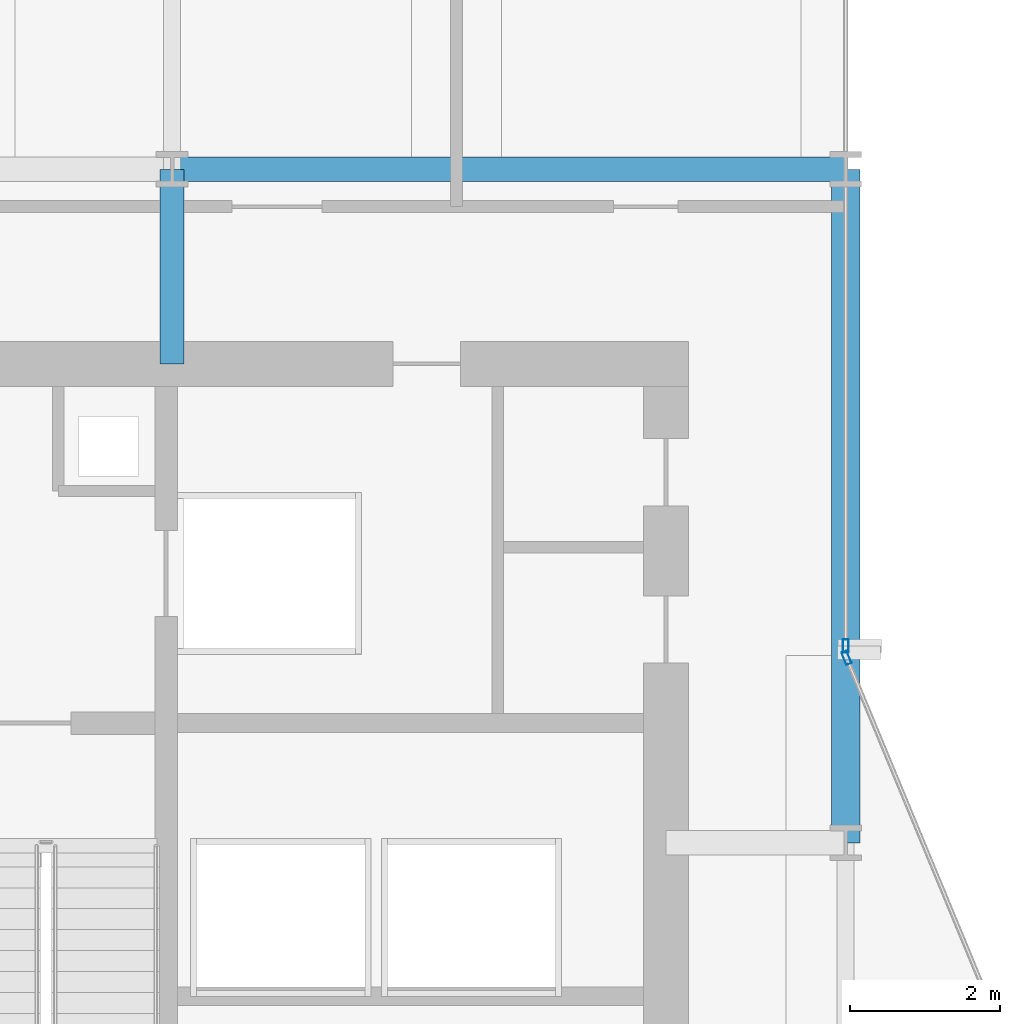
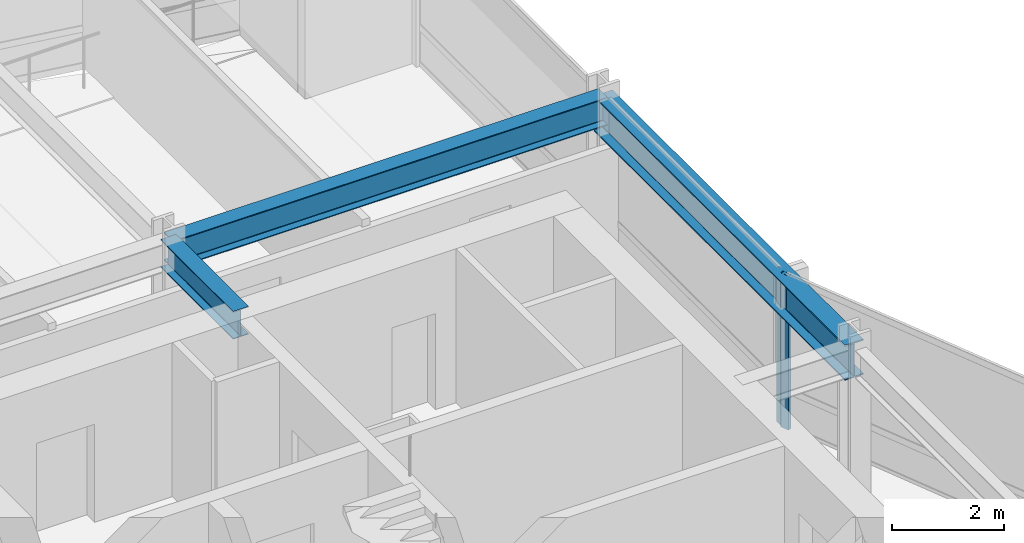
# One storey, part 22 of 35: 3 beams, 2 members, 2 elements without a shape of their own.
"""IFC4 building model written with IfcOpenShell, lengths in metres."""

from ifc_helpers import new_model, si_unit, direction, frame, origin, origin_2d, place, context, subcontext, project, spatial, hollow_rectangle, i_section, extrude, material, layer, layer_set, material_profile, profile_set, type_object, element, aggregate, save


model = new_model("IFC4")

# Units and contexts
model_context = context("Model", 3, precision=1e-05, world=origin(), true_north=direction((0.0, 1.0)))
body_context = subcontext(model_context, "Body", "Model", "MODEL_VIEW")
ifc_project = project(units=[si_unit("LENGTHUNIT", "METRE"), si_unit("AREAUNIT", "SQUARE_METRE"), si_unit("VOLUMEUNIT", "CUBIC_METRE"), si_unit("PLANEANGLEUNIT", "RADIAN"), si_unit("MASSUNIT", "GRAM", prefix="KILO")], contexts=[model_context])

# Site, building, storey
site_placement = place(None, origin())
site = spatial("IfcSite", under=ifc_project, at=site_placement, CompositionType="ELEMENT")
building_placement = place(site_placement, origin())
building = spatial("IfcBuilding", under=site, at=building_placement, Name="Solvaryn Broadcast Tower", CompositionType="ELEMENT")
storey_placement = place(building_placement, frame((0.0, 0.0, 80.39990234375)))
storey = spatial("IfcBuildingStorey", under=building, at=storey_placement, Name="L19", CompositionType="ELEMENT", Elevation=80.39990234375)

# Beams
ifc_material_1 = material(Name="Steel ASTM A992 Grade 50", Category="steel")
ifc_material_profile_1 = material_profile(ifc_material_1, i_section(OverallWidth=0.323974609375, OverallDepth=0.611083984375, WebThickness=0.0126953125, FlangeThickness=0.01904296875, FilletRadius=0.014892578125, at=origin_2d()))
ifc_profile_set_1 = profile_set([ifc_material_profile_1], Name="Steel ASTM A992 Grade 50")
beam_type_1 = type_object("IfcBeamType", Name="BM-B1-W24X104", PredefinedType="BEAM", material=ifc_profile_set_1)
beam_1_placement = place(storey_placement, frame((18.0, 45.0, 3.064697265625), z_axis=(1.0, 0.0, 0.0), x_axis=(0.0, 1.0, 0.0)))
element("IfcBeam", 1, at=beam_1_placement, inside=storey, type_object=beam_type_1, Name="L19 Primary Beam X (18-27 @ Y=45)", PredefinedType="BEAM", context=body_context, shape_type="SweptSolid", body=[
    extrude(i_section(OverallWidth=0.323974609375, OverallDepth=0.611083984375, WebThickness=0.0126953125, FlangeThickness=0.01904296875, FilletRadius=0.014892578125, at=origin_2d()), origin(), (0.0, 0.0, 1.0), 9.0),
])
beam_2_placement = place(storey_placement, frame((18.0, 42.39990234375, 3.064697265625), z_axis=(0.0, 1.0, 0.0), x_axis=(-1.0, 0.0, 0.0)))
element("IfcBeam", 2, at=beam_2_placement, inside=storey, type_object=beam_type_1, Name="L19 Core Tie Beam CTW3", PredefinedType="BEAM", context=body_context, shape_type="SweptSolid", body=[
    extrude(i_section(OverallWidth=0.323974609375, OverallDepth=0.611083984375, WebThickness=0.0126953125, FlangeThickness=0.01904296875, FilletRadius=0.014892578125, at=origin_2d()), origin(), (0.0, 0.0, 1.0), 2.60009765625),
])
ifc_material_2 = material(Name="Steel ASTM A992 Grade 50", Category="steel")
ifc_material_profile_2 = material_profile(ifc_material_2, i_section(OverallWidth=0.381103515625, OverallDepth=0.77294921875, WebThickness=0.0166015625, FlangeThickness=0.027099609375, FilletRadius=0.01806640625, at=origin_2d()))
ifc_profile_set_2 = profile_set([ifc_material_profile_2], Name="Steel ASTM A992 Grade 50")
beam_type_2 = type_object("IfcBeamType", Name="BM-SP1-W30X173", PredefinedType="USERDEFINED", material=ifc_profile_set_2)
beam_3_placement = place(storey_placement, frame((27.0, 36.0, 2.983642578125), z_axis=(0.0, 1.0, 0.0), x_axis=(-1.0, 0.0, 0.0)))
element("IfcBeam", 3, at=beam_3_placement, inside=storey, type_object=beam_type_2, Name="L19 Spandrel Beam Y (36-45 @ X=27)", ObjectType="SPANDREL", PredefinedType="USERDEFINED", context=body_context, shape_type="SweptSolid", body=[
    extrude(i_section(OverallWidth=0.381103515625, OverallDepth=0.77294921875, WebThickness=0.0166015625, FlangeThickness=0.027099609375, FilletRadius=0.01806640625, at=origin_2d()), origin(), (0.0, 0.0, 1.0), 9.0),
])

# Curtain wall, member
ifc_material_3 = material(Name="Aluminium and Terracotta Unitised Curtain Wall", Category="masonry")
ifc_layer = layer(ifc_material_3, 0.199951171875)
ifc_layer_set = layer_set([ifc_layer], Name="CW-SYS2-LOWMID")
curtain_wall_type = type_object("IfcCurtainWallType", Name="CW-SYS2-LOWMID", PredefinedType="NOTDEFINED", material=ifc_layer_set)
curtain_wall_1_placement = place(storey_placement, origin())
curtain_wall_1 = element("IfcCurtainWall", 4, at=curtain_wall_1_placement, inside=storey, type_object=curtain_wall_type, Name="L19 Curtain Wall IV", PredefinedType="NOTDEFINED")
ifc_material_4 = material(Name="Anodised Aluminium 6063-T6", Category="aluminium")
ifc_material_profile_3 = material_profile(ifc_material_4, hollow_rectangle(XDim=0.074951171875, YDim=0.179931640625, WallThickness=0.00390625, InnerFilletRadius=0.00390625, OuterFilletRadius=0.008056640625, at=origin_2d()))
ifc_profile_set_3 = profile_set([ifc_material_profile_3], Name="Anodised Aluminium 6063-T6")
member_type = type_object("IfcMemberType", Name="CW-MUL-180", PredefinedType="MULLION", material=ifc_profile_set_3)
member_1_placement = place(storey_placement, frame((27.0, 38.6298828125, 0.0), z_axis=(0.0, 0.0, 1.0), x_axis=(1.0, 0.0, 0.0)))
member_1 = element("IfcMember", 5, at=member_1_placement, type_object=member_type, Name="CWS2 mullion 2", PredefinedType="MULLION", context=body_context, shape_type="SweptSolid", body=[
    extrude(hollow_rectangle(XDim=0.074951171875, YDim=0.179931640625, WallThickness=0.00390625, InnerFilletRadius=0.00390625, OuterFilletRadius=0.008056640625, at=origin_2d()), origin(), (0.0, 0.0, 1.0), 3.3701171875),
])
aggregate(curtain_wall_1, [member_1])

curtain_wall_2_placement = place(storey_placement, origin())
curtain_wall_2 = element("IfcCurtainWall", 6, at=curtain_wall_2_placement, inside=storey, type_object=curtain_wall_type, Name="L19 Curtain Wall CN2", PredefinedType="NOTDEFINED")
member_2_placement = place(storey_placement, frame((27.011474609375, 38.47216796875, 0.0), z_axis=(0.0, 0.0, 1.0), x_axis=(-0.923894983957, -0.382646127145, 0.0)))
member_2 = element("IfcMember", 7, at=member_2_placement, type_object=member_type, Name="CWS2 mullion 2", PredefinedType="MULLION", context=body_context, shape_type="SweptSolid", body=[
    extrude(hollow_rectangle(XDim=0.074951171875, YDim=0.179931640625, WallThickness=0.00390625, InnerFilletRadius=0.00390625, OuterFilletRadius=0.008056640625, at=origin_2d()), origin(), (0.0, 0.0, 1.0), 3.3701171875),
])
aggregate(curtain_wall_2, [member_2])

save(model, "model.ifc")
